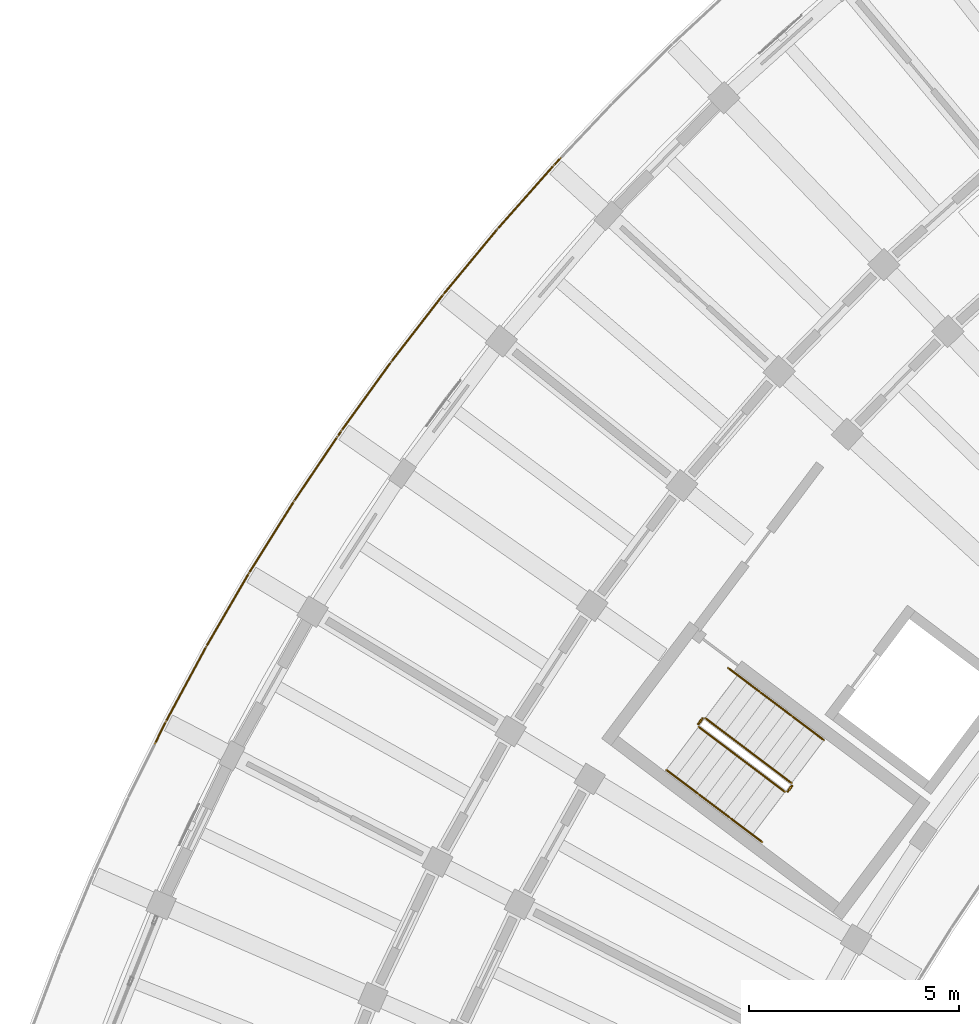
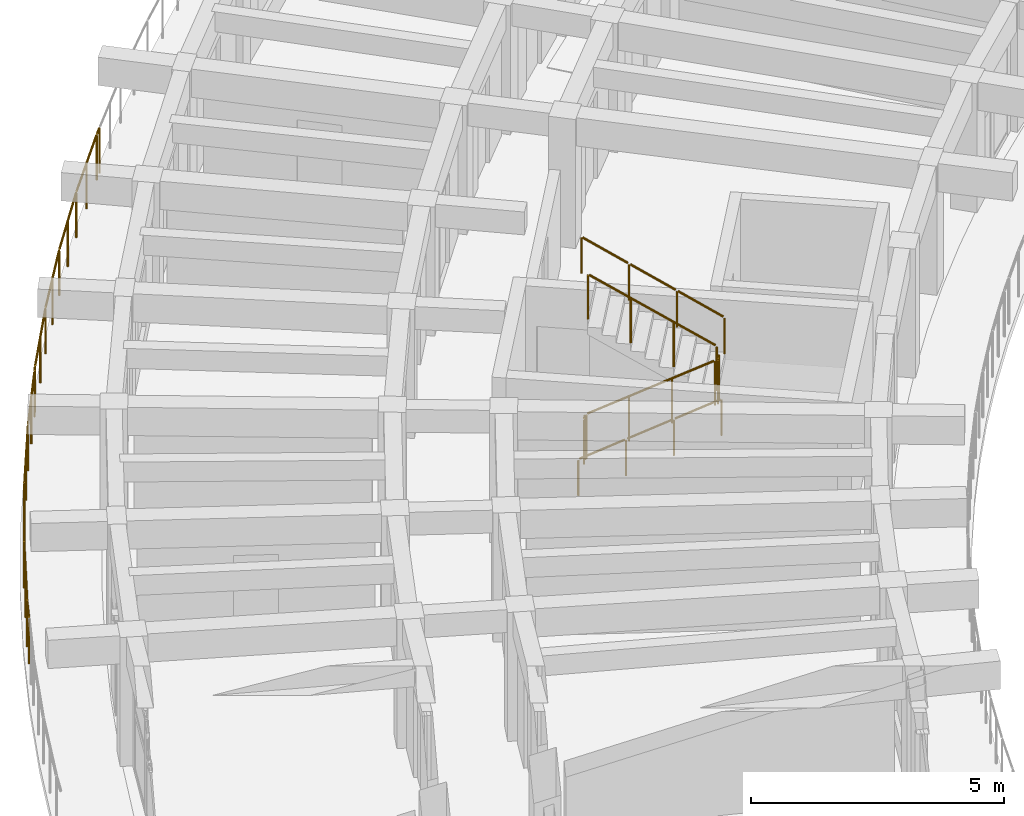
# One storey, part 70 of 81: 12 railings.
"""IFC4 building model written with IfcOpenShell, lengths in metres."""

from ifc_helpers import new_model, si_unit, direction, frame, origin, origin_2d, place, context, subcontext, project, spatial, circle, extrude, material, type_object, element, save


model = new_model("IFC4")

# Units and contexts
model_context = context("Model", 3, precision=1e-05, world=origin(), true_north=direction((0.0, 1.0)))
body_context = subcontext(model_context, "Body", "Model", "MODEL_VIEW")
ifc_project = project(units=[si_unit("LENGTHUNIT", "METRE"), si_unit("AREAUNIT", "SQUARE_METRE"), si_unit("VOLUMEUNIT", "CUBIC_METRE"), si_unit("PLANEANGLEUNIT", "RADIAN"), si_unit("MASSUNIT", "GRAM", prefix="KILO")], contexts=[model_context])

# Site, building, storey
site_placement = place(None, origin())
site = spatial("IfcSite", under=ifc_project, at=site_placement, CompositionType="ELEMENT")
building_placement = place(site_placement, origin())
building = spatial("IfcBuilding", under=site, at=building_placement, Name="Tanwirah Colonnade Gardens", CompositionType="ELEMENT")
storey_placement = place(building_placement, frame((0.0, 0.0, 18.919921875)))
storey = spatial("IfcBuildingStorey", under=building, at=storey_placement, Name="L05", CompositionType="ELEMENT", Elevation=18.919921875)

# Railings
ifc_material_1 = material(Name="Precast concrete C40/50", Category="concrete")
railing_type_1 = type_object("IfcRailingType", Name="BAL-EXT112", PredefinedType="BALUSTRADE", material=ifc_material_1)
railing_1_placement = place(storey_placement, frame((10.266845703125, 87.8330078125, 0.0)))
element("IfcRailing", 1, at=railing_1_placement, inside=storey, type_object=railing_type_1, Name="Block A L05 Balcony Ribbon Balustrade 12", PredefinedType="BALUSTRADE", context=body_context, shape_type="SweptSolid", body=[
    extrude(circle(Radius=0.02392578125, at=origin_2d()), frame((0.013916015625, 0.028076171875, 1.09619140625), z_axis=(0.444368714855, 0.895843984887, 0.0), x_axis=(-0.895843984887, 0.444368714855, 0.0)), (0.0, 0.0, 1.0), 0.521484375),
    extrude(circle(Radius=0.02392578125, at=origin_2d()), frame((0.2744140625, 0.55078125, 1.09619140625), z_axis=(0.473826102441, 0.88061843306, 0.0), x_axis=(-0.88061843306, 0.473826102441, 0.0)), (0.0, 0.0, 1.0), 1.958740234375),
    extrude(circle(Radius=0.02392578125, at=origin_2d()), frame((1.23291015625, 2.330322265625, 1.09619140625), z_axis=(0.502421024862, 0.864623105045, 0.0), x_axis=(-0.864623105045, 0.502421024862, 0.0)), (0.0, 0.0, 1.0), 1.958984375),
    extrude(circle(Radius=0.02392578125, at=origin_2d()), frame((2.24951171875, 4.07763671875, 1.09619140625), z_axis=(0.530812919598, 0.847489023167, 0.0), x_axis=(-0.847489023167, 0.530812919598, 0.0)), (0.0, 0.0, 1.0), 1.958984375),
    extrude(circle(Radius=0.02392578125, at=origin_2d()), frame((3.3232421875, 5.7900390625, 1.09619140625), z_axis=(0.558315298827, 0.829628849001, 0.0), x_axis=(-0.829628849001, 0.558315298827, 0.0)), (0.0, 0.0, 1.0), 1.789306640625),
    extrude(circle(Radius=0.02099609375, at=origin_2d()), origin(), (0.0, 0.0, 1.0), 1.069091796875),
    extrude(circle(Radius=0.02099609375, at=origin_2d()), frame((0.259521484375, 0.523193359375, 0.0)), (0.0, 0.0, 1.0), 1.069091796875),
    extrude(circle(Radius=0.02099609375, at=origin_2d()), frame((0.73828125, 1.4130859375, 0.0)), (0.0, 0.0, 1.0), 1.069091796875),
    extrude(circle(Radius=0.02099609375, at=origin_2d()), frame((1.21728515625, 2.30322265625, 0.0)), (0.0, 0.0, 1.0), 1.069091796875),
    extrude(circle(Radius=0.02099609375, at=origin_2d()), frame((1.72509765625, 3.17724609375, 0.0)), (0.0, 0.0, 1.0), 1.069091796875),
    extrude(circle(Radius=0.02099609375, at=origin_2d()), frame((2.23291015625, 4.051025390625, 0.0)), (0.0, 0.0, 1.0), 1.069091796875),
    extrude(circle(Radius=0.02099609375, at=origin_2d()), frame((2.76953125, 4.90771484375, 0.0)), (0.0, 0.0, 1.0), 1.069091796875),
    extrude(circle(Radius=0.02099609375, at=origin_2d()), frame((3.305908203125, 5.76416015625, 0.0)), (0.0, 0.0, 1.0), 1.069091796875),
    extrude(circle(Radius=0.02099609375, at=origin_2d()), frame((3.82275390625, 6.5322265625, 0.0)), (0.0, 0.0, 1.0), 1.069091796875),
    extrude(circle(Radius=0.02099609375, at=origin_2d()), frame((4.33984375, 7.300537109375, 0.0)), (0.0, 0.0, 1.0), 1.069091796875),
])
railing_2_placement = place(storey_placement, frame((14.606689453125, 95.133544921875, 0.0)))
element("IfcRailing", 2, at=railing_2_placement, inside=storey, type_object=railing_type_1, Name="Block A L05 Balcony Ribbon Balustrade 13", PredefinedType="BALUSTRADE", context=body_context, shape_type="SweptSolid", body=[
    extrude(circle(Radius=0.02392578125, at=origin_2d()), frame((0.017578125, 0.02587890625, 1.09619140625), z_axis=(0.558681242275, 0.829382462758, 0.0), x_axis=(-0.829382462758, 0.558681242275, 0.0)), (0.0, 0.0, 1.0), 0.10693359375),
    extrude(circle(Radius=0.02392578125, at=origin_2d()), frame((0.113037109375, 0.166015625, 1.09619140625), z_axis=(0.585468507287, 0.810695150457, 0.0), x_axis=(-0.810695150457, 0.585468507287, 0.0)), (0.0, 0.0, 1.0), 1.958984375),
    extrude(circle(Radius=0.02392578125, at=origin_2d()), frame((1.29736328125, 1.80419921875, 1.09619140625), z_axis=(0.611856467608, 0.790968812942, 0.0), x_axis=(-0.790968812942, 0.611856467608, 0.0)), (0.0, 0.0, 1.0), 1.958984375),
    extrude(circle(Radius=0.02392578125, at=origin_2d()), frame((2.53515625, 3.402587890625, 1.09619140625), z_axis=(0.637555355491, 0.770404548717, 0.0), x_axis=(-0.770404548717, 0.637555355491, 0.0)), (0.0, 0.0, 1.0), 1.958984375),
    extrude(circle(Radius=0.02392578125, at=origin_2d()), frame((3.82470703125, 4.959228515625, 1.09619140625), z_axis=(0.662607760508, 0.748966591854, 0.0), x_axis=(-0.748966591854, 0.662607760508, 0.0)), (0.0, 0.0, 1.0), 1.958740234375),
    extrude(circle(Radius=0.02392578125, at=origin_2d()), frame((5.164794921875, 6.472412109375, 1.09619140625), z_axis=(0.686858017599, 0.726791623273, 0.0), x_axis=(-0.726791623273, 0.686858017599, 0.0)), (0.0, 0.0, 1.0), 0.18212890625),
    extrude(circle(Radius=0.02099609375, at=origin_2d()), origin(), (0.0, 0.0, 1.0), 1.069091796875),
    extrude(circle(Radius=0.02099609375, at=origin_2d()), frame((0.0947265625, 0.140625, 0.0)), (0.0, 0.0, 1.0), 1.069091796875),
    extrude(circle(Radius=0.02099609375, at=origin_2d()), frame((0.6865234375, 0.9599609375, 0.0)), (0.0, 0.0, 1.0), 1.069091796875),
    extrude(circle(Radius=0.02099609375, at=origin_2d()), frame((1.2783203125, 1.779541015625, 0.0)), (0.0, 0.0, 1.0), 1.069091796875),
    extrude(circle(Radius=0.02099609375, at=origin_2d()), frame((1.896728515625, 2.5791015625, 0.0)), (0.0, 0.0, 1.0), 1.069091796875),
    extrude(circle(Radius=0.02099609375, at=origin_2d()), frame((2.51513671875, 3.37841796875, 0.0)), (0.0, 0.0, 1.0), 1.069091796875),
    extrude(circle(Radius=0.02099609375, at=origin_2d()), frame((3.15966796875, 4.1572265625, 0.0)), (0.0, 0.0, 1.0), 1.069091796875),
    extrude(circle(Radius=0.02099609375, at=origin_2d()), frame((3.803955078125, 4.935791015625, 0.0)), (0.0, 0.0, 1.0), 1.069091796875),
    extrude(circle(Radius=0.02099609375, at=origin_2d()), frame((4.4736328125, 5.69287109375, 0.0)), (0.0, 0.0, 1.0), 1.069091796875),
    extrude(circle(Radius=0.02099609375, at=origin_2d()), frame((5.143310546875, 6.44970703125, 0.0)), (0.0, 0.0, 1.0), 1.069091796875),
    extrude(circle(Radius=0.02099609375, at=origin_2d()), frame((5.311279296875, 6.62744140625, 0.0)), (0.0, 0.0, 1.0), 1.069091796875),
])
ifc_material_2 = material(Name="Powder-coated galvanized steel", Category="steel")
railing_type_2 = type_object("IfcRailingType", Name="GRD-ST110", PredefinedType="GUARDRAIL", material=ifc_material_2)
railing_3_placement = place(storey_placement, frame((23.201416015625, 88.22900390625, 0.16796875)))
element("IfcRailing", 3, at=railing_3_placement, inside=storey, type_object=railing_type_2, Name="L05 ST-A2 stair guard 1", PredefinedType="GUARDRAIL", context=body_context, shape_type="SweptSolid", body=[
    extrude(circle(Radius=0.02392578125, at=origin_2d()), frame((0.021484375, -0.01611328125, 1.092041015625), z_axis=(0.687983717237, -0.518427010379, 0.507850213868), x_axis=(0.601810650199, 0.798638805285, 0.0)), (0.0, 0.0, 1.0), 2.9150390625),
    extrude(circle(Radius=0.02099609375, at=origin_2d()), origin(), (0.0, 0.0, 1.0), 1.049072265625),
    extrude(circle(Radius=0.02099609375, at=origin_2d()), frame((0.682861328125, -0.5146484375, 0.504150390625)), (0.0, 0.0, 1.0), 1.049072265625),
    extrude(circle(Radius=0.02099609375, at=origin_2d()), frame((1.36572265625, -1.029052734375, 1.008056640625)), (0.0, 0.0, 1.0), 1.049072265625),
    extrude(circle(Radius=0.02099609375, at=origin_2d()), frame((2.048583984375, -1.543701171875, 1.51220703125)), (0.0, 0.0, 1.0), 1.049072265625),
])
railing_4_placement = place(storey_placement, frame((25.320068359375, 86.695068359375, 1.68017578125)))
element("IfcRailing", 4, at=railing_4_placement, inside=storey, type_object=railing_type_2, Name="L05 ST-A2 stair guard 2", PredefinedType="GUARDRAIL", context=body_context, shape_type="SweptSolid", body=[
    extrude(circle(Radius=0.02392578125, at=origin_2d()), frame((0.018798828125, 0.02490234375, 1.076171875), z_axis=(0.600975757569, 0.799267251183, 0.0), x_axis=(-0.799267251183, 0.600975757569, 0.0)), (0.0, 0.0, 1.0), 0.09765625),
    extrude(circle(Radius=0.02099609375, at=origin_2d()), origin(), (0.0, 0.0, 1.0), 1.049072265625),
    extrude(circle(Radius=0.02099609375, at=origin_2d()), frame((0.09619140625, 0.1279296875, 0.0)), (0.0, 0.0, 1.0), 1.049072265625),
])
railing_5_placement = place(storey_placement, frame((25.406494140625, 86.89306640625, 1.84814453125)))
element("IfcRailing", 5, at=railing_5_placement, inside=storey, type_object=railing_type_2, Name="L05 ST-A2 stair guard 3", PredefinedType="GUARDRAIL", context=body_context, shape_type="SweptSolid", body=[
    extrude(circle(Radius=0.02392578125, at=origin_2d()), frame((-0.021484375, 0.01611328125, 1.092041015625), z_axis=(-0.688041610417, 0.518388637952, 0.507810951414), x_axis=(-0.60174993816, -0.798684550949, 0.0)), (0.0, 0.0, 1.0), 2.914794921875),
    extrude(circle(Radius=0.02099609375, at=origin_2d()), origin(), (0.0, 0.0, 1.0), 1.049072265625),
    extrude(circle(Radius=0.02099609375, at=origin_2d()), frame((-0.682861328125, 0.514404296875, 0.50390625)), (0.0, 0.0, 1.0), 1.049072265625),
    extrude(circle(Radius=0.02099609375, at=origin_2d()), frame((-1.36572265625, 1.029052734375, 1.008056640625)), (0.0, 0.0, 1.0), 1.049072265625),
    extrude(circle(Radius=0.02099609375, at=origin_2d()), frame((-2.048583984375, 1.54345703125, 1.511962890625)), (0.0, 0.0, 1.0), 1.049072265625),
])
railing_6_placement = place(storey_placement, frame((23.191650390625, 88.299072265625, 0.0)))
element("IfcRailing", 6, at=railing_6_placement, inside=storey, type_object=railing_type_2, Name="L05 ST-A2 stair guard 4", PredefinedType="GUARDRAIL", context=body_context, shape_type="SweptSolid", body=[
    extrude(circle(Radius=0.02392578125, at=origin_2d()), frame((0.018798828125, 0.02490234375, 1.076171875), z_axis=(0.602681987584, 0.797981467104, 0.0), x_axis=(-0.797981467104, 0.602681987584, 0.0)), (0.0, 0.0, 1.0), 0.097412109375),
    extrude(circle(Radius=0.02099609375, at=origin_2d()), origin(), (0.0, 0.0, 1.0), 1.049072265625),
    extrude(circle(Radius=0.02099609375, at=origin_2d()), frame((0.096435546875, 0.127685546875, 0.0)), (0.0, 0.0, 1.0), 1.049072265625),
])
ifc_material_3 = material(Name="Brushed bronze stainless steel", Category="steel")
railing_type_3 = type_object("IfcRailingType", Name="HR-ST090", PredefinedType="HANDRAIL", material=ifc_material_3)
railing_7_placement = place(storey_placement, frame((22.43115234375, 87.206787109375, 0.16796875)))
element("IfcRailing", 7, at=railing_7_placement, inside=storey, type_object=railing_type_3, Name="L05 ST-A2 stair handrail 1", PredefinedType="HANDRAIL", context=body_context, shape_type="SweptSolid", body=[
    extrude(circle(Radius=0.02392578125, at=origin_2d()), frame((0.021484375, -0.01611328125, 0.891845703125), z_axis=(0.686067825084, -0.516979036791, 0.511901958292), x_axis=(0.601807485929, 0.798641189696, 0.0)), (0.0, 0.0, 1.0), 1.04345703125),
    extrude(circle(Radius=0.02099609375, at=origin_2d()), origin(), (0.0, 0.0, 1.0), 0.848876953125),
    extrude(circle(Radius=0.02099609375, at=origin_2d()), frame((0.7587890625, -0.57177734375, 0.566162109375)), (0.0, 0.0, 1.0), 0.848876953125),
])
railing_8_placement = place(storey_placement, frame((23.18994140625, 86.635009765625, 0.734130859375)))
element("IfcRailing", 8, at=railing_8_placement, inside=storey, type_object=railing_type_3, Name="L05 ST-A2 stair handrail 2", PredefinedType="HANDRAIL", context=body_context, shape_type="SweptSolid", body=[
    extrude(circle(Radius=0.02392578125, at=origin_2d()), frame((0.021484375, -0.01611328125, 0.891845703125), z_axis=(0.686145346169, -0.517037451972, 0.51173903231), x_axis=(0.601807485929, 0.798641189696, 0.0)), (0.0, 0.0, 1.0), 1.04345703125),
    extrude(circle(Radius=0.02099609375, at=origin_2d()), origin(), (0.0, 0.0, 1.0), 0.848876953125),
    extrude(circle(Radius=0.02099609375, at=origin_2d()), frame((0.7587890625, -0.57177734375, 0.56591796875)), (0.0, 0.0, 1.0), 0.848876953125),
])
railing_9_placement = place(storey_placement, frame((23.94873046875, 86.063232421875, 1.300048828125)))
element("IfcRailing", 9, at=railing_9_placement, inside=storey, type_object=railing_type_3, Name="L05 ST-A2 stair handrail 3", PredefinedType="HANDRAIL", context=body_context, shape_type="SweptSolid", body=[
    extrude(circle(Radius=0.02392578125, at=origin_2d()), frame((0.021484375, -0.01611328125, 0.891845703125), z_axis=(0.686028488458, -0.517115777267, 0.511816554955), x_axis=(0.601931007785, 0.798548096152, 0.0)), (0.0, 0.0, 1.0), 1.043212890625),
    extrude(circle(Radius=0.02099609375, at=origin_2d()), origin(), (0.0, 0.0, 1.0), 0.848876953125),
    extrude(circle(Radius=0.02099609375, at=origin_2d()), frame((0.758544921875, -0.57177734375, 0.56591796875)), (0.0, 0.0, 1.0), 0.848876953125),
])
railing_10_placement = place(storey_placement, frame((26.1767578125, 87.915283203125, 1.84814453125)))
element("IfcRailing", 10, at=railing_10_placement, inside=storey, type_object=railing_type_3, Name="L05 ST-A2 stair handrail 4", PredefinedType="HANDRAIL", context=body_context, shape_type="SweptSolid", body=[
    extrude(circle(Radius=0.02392578125, at=origin_2d()), frame((-0.021484375, 0.01611328125, 0.891845703125), z_axis=(-0.686028488458, 0.517115777267, 0.511816554955), x_axis=(-0.601931007785, -0.798548096152, 0.0)), (0.0, 0.0, 1.0), 1.043212890625),
    extrude(circle(Radius=0.02099609375, at=origin_2d()), origin(), (0.0, 0.0, 1.0), 0.848876953125),
    extrude(circle(Radius=0.02099609375, at=origin_2d()), frame((-0.758544921875, 0.57177734375, 0.56591796875)), (0.0, 0.0, 1.0), 0.848876953125),
])
railing_11_placement = place(storey_placement, frame((25.418212890625, 88.487060546875, 2.4140625)))
element("IfcRailing", 11, at=railing_11_placement, inside=storey, type_object=railing_type_3, Name="L05 ST-A2 stair handrail 5", PredefinedType="HANDRAIL", context=body_context, shape_type="SweptSolid", body=[
    extrude(circle(Radius=0.02392578125, at=origin_2d()), frame((-0.021484375, 0.01611328125, 0.891845703125), z_axis=(-0.686223662955, 0.51687567406, 0.51179744232), x_axis=(-0.601643549736, -0.798764695677, 0.0)), (0.0, 0.0, 1.0), 1.043212890625),
    extrude(circle(Radius=0.02099609375, at=origin_2d()), origin(), (0.0, 0.0, 1.0), 0.848876953125),
    extrude(circle(Radius=0.02099609375, at=origin_2d()), frame((-0.7587890625, 0.571533203125, 0.56591796875)), (0.0, 0.0, 1.0), 0.848876953125),
])
railing_12_placement = place(storey_placement, frame((24.659423828125, 89.05859375, 2.97998046875)))
element("IfcRailing", 12, at=railing_12_placement, inside=storey, type_object=railing_type_3, Name="L05 ST-A2 stair handrail 6", PredefinedType="HANDRAIL", context=body_context, shape_type="SweptSolid", body=[
    extrude(circle(Radius=0.02392578125, at=origin_2d()), frame((-0.021484375, 0.01611328125, 0.891845703125), z_axis=(-0.686067825084, 0.516979036791, 0.511901958292), x_axis=(-0.601807485929, -0.798641189696, 0.0)), (0.0, 0.0, 1.0), 1.04345703125),
    extrude(circle(Radius=0.02099609375, at=origin_2d()), origin(), (0.0, 0.0, 1.0), 0.848876953125),
    extrude(circle(Radius=0.02099609375, at=origin_2d()), frame((-0.7587890625, 0.57177734375, 0.566162109375)), (0.0, 0.0, 1.0), 0.848876953125),
])

save(model, "model.ifc")
